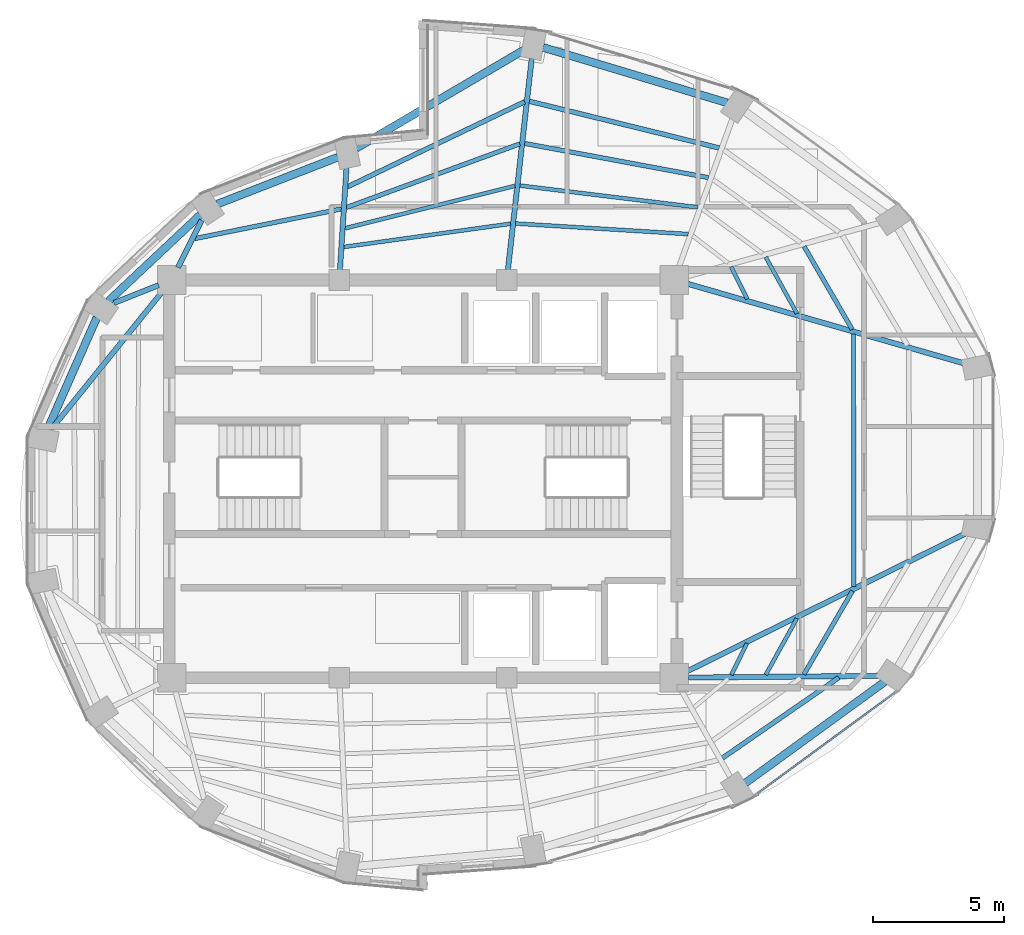
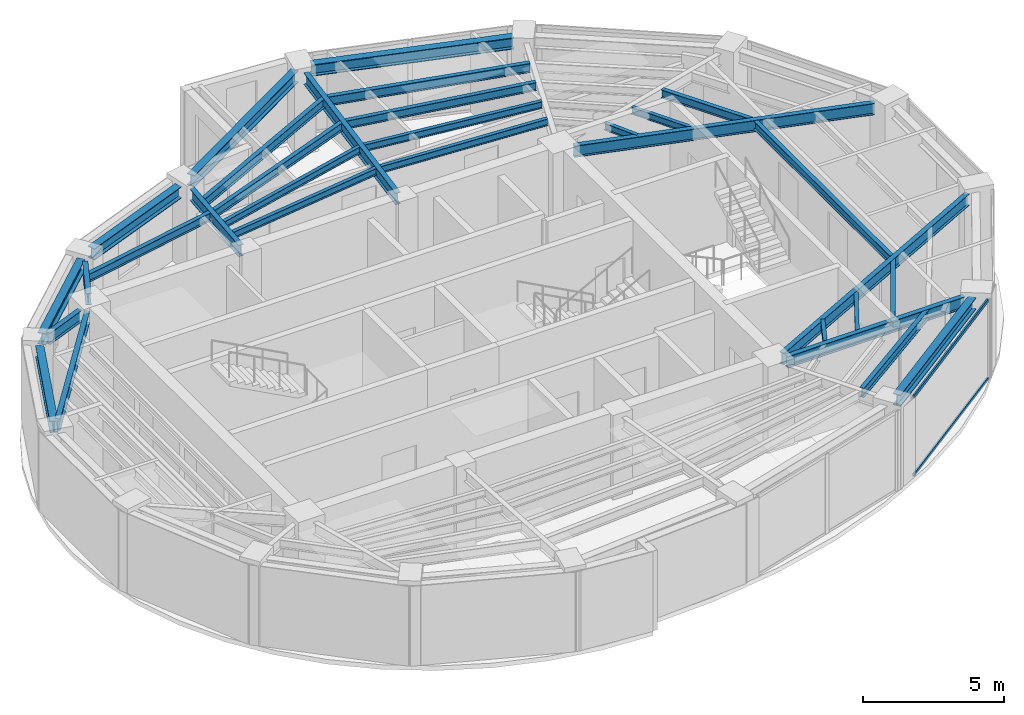
# One storey, part 3 of 13: 31 beams, 2 members, 1 element without a shape of its own.
"""IFC4 building model written with IfcOpenShell, lengths in metres."""

from ifc_helpers import new_model, si_unit, direction, frame, origin, origin_2d, place, context, subcontext, project, spatial, hollow_rectangle, i_section, extrude, material, layer, layer_set, material_profile, profile_set, type_object, element, aggregate, save


model = new_model("IFC4")

# Units and contexts
model_context = context("Model", 3, precision=1e-05, world=origin(), true_north=direction((0.0, 1.0)))
body_context = subcontext(model_context, "Body", "Model", "MODEL_VIEW")
ifc_project = project(units=[si_unit("LENGTHUNIT", "METRE"), si_unit("AREAUNIT", "SQUARE_METRE"), si_unit("VOLUMEUNIT", "CUBIC_METRE"), si_unit("PLANEANGLEUNIT", "RADIAN"), si_unit("MASSUNIT", "GRAM", prefix="KILO")], contexts=[model_context])

# Site, building, storey
site_placement = place(None, origin())
site = spatial("IfcSite", under=ifc_project, at=site_placement, CompositionType="ELEMENT")
building_placement = place(site_placement, origin())
building = spatial("IfcBuilding", under=site, at=building_placement, Name="Lazwardi Medical Tower", CompositionType="ELEMENT")
storey_placement = place(building_placement, frame((0.0, 0.0, 276.912109375)))
storey = spatial("IfcBuildingStorey", under=building, at=storey_placement, Name="L72", CompositionType="ELEMENT", Elevation=276.912109375)

# Beams
ifc_material_1 = material(Name="Steel S355", Category="steel")
ifc_material_profile_1 = material_profile(ifc_material_1, i_section(OverallWidth=0.300048828125, OverallDepth=0.5, WebThickness=0.014404296875, FlangeThickness=0.028076171875, at=origin_2d()), Name="HEB 500")
ifc_profile_set_1 = profile_set([ifc_material_profile_1], Name="Steel S355")
beam_type_1 = type_object("IfcBeamType", Name="BM-RB-Z4", PredefinedType="BEAM", material=ifc_profile_set_1)
beam_1_placement = place(storey_placement, frame((48.31591796875, 16.375244140625, 3.197998046875), z_axis=(0.808889916254, 0.587960120571, 0.0), x_axis=(-0.587960120571, 0.808889916254, 0.0)))
element("IfcBeam", 1, at=beam_1_placement, inside=storey, type_object=beam_type_1, Name="Ring beam RB-05 B02 L72", PredefinedType="BEAM", context=body_context, shape_type="SweptSolid", body=[
    extrude(i_section(OverallWidth=0.300048828125, OverallDepth=0.5, WebThickness=0.014404296875, FlangeThickness=0.028076171875, at=origin_2d()), origin(), (0.0, 0.0, 1.0), 6.587158203125),
])
beam_2_placement = place(storey_placement, frame((47.626953125, 42.366455078125, 3.197998046875), z_axis=(-0.957544311906, 0.288286126506, 0.0), x_axis=(-0.288286126506, -0.957544311906, 0.0)))
element("IfcBeam", 2, at=beam_2_placement, inside=storey, type_object=beam_type_1, Name="Ring beam RB-05 B07 L72", PredefinedType="BEAM", context=body_context, shape_type="SweptSolid", body=[
    extrude(i_section(OverallWidth=0.300048828125, OverallDepth=0.5, WebThickness=0.014404296875, FlangeThickness=0.028076171875, at=origin_2d()), origin(), (0.0, 0.0, 1.0), 7.3515625),
])
beam_3_placement = place(storey_placement, frame((39.877685546875, 44.40087890625, 3.197998046875), z_axis=(-0.862560933033, -0.505953196259, 0.0), x_axis=(0.505953196259, -0.862560933033, 0.0)))
element("IfcBeam", 3, at=beam_3_placement, inside=storey, type_object=beam_type_1, Name="Ring beam RB-05 B08 L72", PredefinedType="BEAM", context=body_context, shape_type="SweptSolid", body=[
    extrude(i_section(OverallWidth=0.300048828125, OverallDepth=0.5, WebThickness=0.014404296875, FlangeThickness=0.028076171875, at=origin_2d()), origin(), (0.0, 0.0, 1.0), 7.452880859375),
])
beam_4_placement = place(storey_placement, frame((32.749267578125, 40.29150390625, 3.197998046875), z_axis=(-0.931959260109, -0.362563011761, 0.0), x_axis=(0.362563011761, -0.931959260109, 0.0)))
element("IfcBeam", 4, at=beam_4_placement, inside=storey, type_object=beam_type_1, Name="Ring beam RB-05 B09 L72", PredefinedType="BEAM", context=body_context, shape_type="SweptSolid", body=[
    extrude(i_section(OverallWidth=0.300048828125, OverallDepth=0.5, WebThickness=0.014404296875, FlangeThickness=0.028076171875, at=origin_2d()), origin(), (0.0, 0.0, 1.0), 4.944580078125),
])
beam_5_placement = place(storey_placement, frame((27.493408203125, 38.09033203125, 3.197998046875), z_axis=(-0.728935349177, -0.684582541934, 0.0), x_axis=(0.684582541934, -0.728935349177, 0.0)))
element("IfcBeam", 5, at=beam_5_placement, inside=storey, type_object=beam_type_1, Name="Ring beam RB-05 B10 L72", PredefinedType="BEAM", context=body_context, shape_type="SweptSolid", body=[
    extrude(i_section(OverallWidth=0.300048828125, OverallDepth=0.5, WebThickness=0.014404296875, FlangeThickness=0.028076171875, at=origin_2d()), origin(), (0.0, 0.0, 1.0), 4.822021484375),
])
beam_6_placement = place(storey_placement, frame((23.536865234375, 34.16552734375, 3.197998046875), z_axis=(-0.403522451548, -0.914969743268, 0.0), x_axis=(0.914969743268, -0.403522451548, 0.0)))
element("IfcBeam", 6, at=beam_6_placement, inside=storey, type_object=beam_type_1, Name="Ring beam RB-05 B11 L72", PredefinedType="BEAM", context=body_context, shape_type="SweptSolid", body=[
    extrude(i_section(OverallWidth=0.300048828125, OverallDepth=0.5, WebThickness=0.014404296875, FlangeThickness=0.028076171875, at=origin_2d()), origin(), (0.0, 0.0, 1.0), 4.6962890625),
])
ifc_material_profile_2 = material_profile(ifc_material_1, i_section(OverallWidth=0.199951171875, OverallDepth=0.5, WebThickness=0.01025390625, FlangeThickness=0.01611328125, at=origin_2d()), Name="IPE 500")
ifc_profile_set_2 = profile_set([ifc_material_profile_2], Name="Steel S355")
beam_type_2 = type_object("IfcBeamType", Name="BM-RG-W3", PredefinedType="BEAM", material=ifc_profile_set_2)
beam_7_placement = place(storey_placement, frame((53.4248046875, 20.472412109375, 3.197998046875), z_axis=(-0.999957282107, -0.009243049327, 0.0), x_axis=(0.009243049327, -0.999957282107, 0.0)))
element("IfcBeam", 7, at=beam_7_placement, inside=storey, type_object=beam_type_2, Name="Radial girder RG-04 R03 L72", PredefinedType="BEAM", context=body_context, shape_type="SweptSolid", body=[
    extrude(i_section(OverallWidth=0.199951171875, OverallDepth=0.5, WebThickness=0.01025390625, FlangeThickness=0.01611328125, at=origin_2d()), origin(), (0.0, 0.0, 1.0), 7.2900390625),
])
beam_8_placement = place(storey_placement, frame((56.70556640625, 25.899658203125, 3.197998046875), z_axis=(-0.896137723356, -0.443776048, 0.0), x_axis=(0.443776048, -0.896137723356, 0.0)))
element("IfcBeam", 8, at=beam_8_placement, inside=storey, type_object=beam_type_2, Name="Radial girder RG-04 R04 L72", PredefinedType="BEAM", context=body_context, shape_type="SweptSolid", body=[
    extrude(i_section(OverallWidth=0.199951171875, OverallDepth=0.5, WebThickness=0.01025390625, FlangeThickness=0.01611328125, at=origin_2d()), origin(), (0.0, 0.0, 1.0), 11.85791015625),
])
beam_9_placement = place(storey_placement, frame((56.6708984375, 32.410888671875, 3.197998046875), z_axis=(-0.960926292206, 0.276804373065, 0.0), x_axis=(-0.276804373065, -0.960926292206, 0.0)))
element("IfcBeam", 9, at=beam_9_placement, inside=storey, type_object=beam_type_2, Name="Radial girder RG-04 R05 L72", PredefinedType="BEAM", context=body_context, shape_type="SweptSolid", body=[
    extrude(i_section(OverallWidth=0.199951171875, OverallDepth=0.5, WebThickness=0.01025390625, FlangeThickness=0.01611328125, at=origin_2d()), origin(), (0.0, 0.0, 1.0), 10.986083984375),
])
beam_10_placement = place(storey_placement, frame((40.154052734375, 44.066650390625, 3.197998046875), z_axis=(-0.11196962105, -0.993711630183, 0.0), x_axis=(0.993711630183, -0.11196962105, 0.0)))
element("IfcBeam", 10, at=beam_10_placement, inside=storey, type_object=beam_type_2, Name="Radial girder RG-04 R08 L72", PredefinedType="BEAM", context=body_context, shape_type="SweptSolid", body=[
    extrude(i_section(OverallWidth=0.199951171875, OverallDepth=0.5, WebThickness=0.01025390625, FlangeThickness=0.01611328125, at=origin_2d()), origin(), (0.0, 0.0, 1.0), 8.13525390625),
])
beam_11_placement = place(storey_placement, frame((33.078125, 39.89892578125, 3.197998046875), z_axis=(-0.064536216654, -0.99791536552, 0.0), x_axis=(0.99791536552, -0.064536216654, 0.0)))
element("IfcBeam", 11, at=beam_11_placement, inside=storey, type_object=beam_type_2, Name="Radial girder RG-04 R09 L72", PredefinedType="BEAM", context=body_context, shape_type="SweptSolid", body=[
    extrude(i_section(OverallWidth=0.199951171875, OverallDepth=0.5, WebThickness=0.01025390625, FlangeThickness=0.01611328125, at=origin_2d()), origin(), (0.0, 0.0, 1.0), 3.9228515625),
])
beam_12_placement = place(storey_placement, frame((27.53857421875, 37.87890625, 3.197998046875), z_axis=(-0.446922417137, -0.894572720946, 0.0), x_axis=(0.894572720946, -0.446922417137, 0.0)))
element("IfcBeam", 12, at=beam_12_placement, inside=storey, type_object=beam_type_2, Name="Radial girder RG-04 R10 L72", PredefinedType="BEAM", context=body_context, shape_type="SweptSolid", body=[
    extrude(i_section(OverallWidth=0.199951171875, OverallDepth=0.5, WebThickness=0.01025390625, FlangeThickness=0.01611328125, at=origin_2d()), origin(), (0.0, 0.0, 1.0), 2.012451171875),
])
beam_13_placement = place(storey_placement, frame((24.191162109375, 34.72021484375, 3.197998046875), z_axis=(0.929014807026, 0.370042549347, 0.0), x_axis=(-0.370042549347, 0.929014807026, 0.0)))
element("IfcBeam", 13, at=beam_13_placement, inside=storey, type_object=beam_type_2, Name="Radial girder RG-04 R11 L72", PredefinedType="BEAM", context=body_context, shape_type="SweptSolid", body=[
    extrude(i_section(OverallWidth=0.199951171875, OverallDepth=0.5, WebThickness=0.01025390625, FlangeThickness=0.01611328125, at=origin_2d()), origin(), (0.0, 0.0, 1.0), 1.8427734375),
])
beam_14_placement = place(storey_placement, frame((21.820556640625, 29.927978515625, 3.197998046875), z_axis=(0.62820165026, 0.778050568158, 0.0), x_axis=(-0.778050568158, 0.62820165026, 0.0)))
element("IfcBeam", 14, at=beam_14_placement, inside=storey, type_object=beam_type_2, Name="Radial girder RG-04 R12 L72", PredefinedType="BEAM", context=body_context, shape_type="SweptSolid", body=[
    extrude(i_section(OverallWidth=0.199951171875, OverallDepth=0.5, WebThickness=0.01025390625, FlangeThickness=0.01611328125, at=origin_2d()), origin(), (0.0, 0.0, 1.0), 6.7548828125),
])
ifc_material_profile_3 = material_profile(ifc_material_1, i_section(OverallWidth=0.179931640625, OverallDepth=0.39990234375, WebThickness=0.008544921875, FlangeThickness=0.013427734375, at=origin_2d()), Name="IPE 400")
ifc_profile_set_3 = profile_set([ifc_material_profile_3], Name="Steel S355")
beam_type_3 = type_object("IfcBeamType", Name="BM-SJ-01", PredefinedType="JOIST", material=ifc_profile_set_3)
beam_15_placement = place(storey_placement, frame((47.440673828125, 17.330322265625, 3.247802734375), z_axis=(0.822596712765, 0.568625226443, 0.0), x_axis=(-0.568625226443, 0.822596712765, 0.0)))
element("IfcBeam", 15, at=beam_15_placement, inside=storey, type_object=beam_type_3, Name="Secondary joist SJ-01 R1 B02 L72", PredefinedType="JOIST", context=body_context, shape_type="SweptSolid", body=[
    extrude(i_section(OverallWidth=0.179931640625, OverallDepth=0.39990234375, WebThickness=0.008544921875, FlangeThickness=0.013427734375, at=origin_2d()), origin(), (0.0, 0.0, 1.0), 5.4072265625),
])
beam_16_placement = place(storey_placement, frame((47.319091796875, 40.64404296875, 3.247802734375), z_axis=(-0.971096035988, 0.23868910509, 0.0), x_axis=(-0.23868910509, -0.971096035988, 0.0)))
element("IfcBeam", 16, at=beam_16_placement, inside=storey, type_object=beam_type_3, Name="Secondary joist SJ-01 R1 B07 L72", PredefinedType="JOIST", context=body_context, shape_type="SweptSolid", body=[
    extrude(i_section(OverallWidth=0.179931640625, OverallDepth=0.39990234375, WebThickness=0.008544921875, FlangeThickness=0.013427734375, at=origin_2d()), origin(), (0.0, 0.0, 1.0), 7.470703125),
])
beam_17_placement = place(storey_placement, frame((39.88623046875, 42.40869140625, 3.247802734375), z_axis=(-0.901499730142, -0.432779662823, 0.0), x_axis=(0.432779662823, -0.901499730142, 0.0)))
element("IfcBeam", 17, at=beam_17_placement, inside=storey, type_object=beam_type_3, Name="Secondary joist SJ-01 R1 B08 L72", PredefinedType="JOIST", context=body_context, shape_type="SweptSolid", body=[
    extrude(i_section(OverallWidth=0.179931640625, OverallDepth=0.39990234375, WebThickness=0.008544921875, FlangeThickness=0.013427734375, at=origin_2d()), origin(), (0.0, 0.0, 1.0), 7.512939453125),
])
ifc_material_profile_4 = material_profile(ifc_material_1, i_section(OverallWidth=0.169921875, OverallDepth=0.360107421875, WebThickness=0.008056640625, FlangeThickness=0.0126953125, at=origin_2d()), Name="IPE 360")
ifc_profile_set_4 = profile_set([ifc_material_profile_4], Name="Steel S355")
beam_type_4 = type_object("IfcBeamType", Name="BM-SJ-02", PredefinedType="JOIST", material=ifc_profile_set_4)
beam_18_placement = place(storey_placement, frame((50.556640625, 20.527587890625, 3.267822265625), z_axis=(0.502428077017, 0.864619007092, 0.0), x_axis=(-0.864619007092, 0.502428077017, 0.0)))
element("IfcBeam", 18, at=beam_18_placement, inside=storey, type_object=beam_type_4, Name="Secondary joist SJ-02 R2 B03 L72", PredefinedType="JOIST", context=body_context, shape_type="SweptSolid", body=[
    extrude(i_section(OverallWidth=0.169921875, OverallDepth=0.360107421875, WebThickness=0.008056640625, FlangeThickness=0.0126953125, at=origin_2d()), origin(), (0.0, 0.0, 1.0), 3.683837890625),
])
beam_19_placement = place(storey_placement, frame((52.455078125, 23.889892578125, 3.267822265625), z_axis=(-0.000708932372, 0.999999748707, 0.0), x_axis=(-0.999999748707, -0.000708932372, 0.0)))
element("IfcBeam", 19, at=beam_19_placement, inside=storey, type_object=beam_type_4, Name="Secondary joist SJ-02 R2 B04 L72", PredefinedType="JOIST", context=body_context, shape_type="SweptSolid", body=[
    extrude(i_section(OverallWidth=0.169921875, OverallDepth=0.360107421875, WebThickness=0.008056640625, FlangeThickness=0.0126953125, at=origin_2d()), origin(), (0.0, 0.0, 1.0), 9.642578125),
])
beam_20_placement = place(storey_placement, frame((52.400390625, 33.70947265625, 3.267822265625), z_axis=(-0.501626451559, 0.865084332939, 0.0), x_axis=(-0.865084332939, -0.501626451559, 0.0)))
element("IfcBeam", 20, at=beam_20_placement, inside=storey, type_object=beam_type_4, Name="Secondary joist SJ-02 R2 B05 L72", PredefinedType="JOIST", context=body_context, shape_type="SweptSolid", body=[
    extrude(i_section(OverallWidth=0.169921875, OverallDepth=0.360107421875, WebThickness=0.008056640625, FlangeThickness=0.0126953125, at=origin_2d()), origin(), (0.0, 0.0, 1.0), 3.668212890625),
])
beam_21_placement = place(storey_placement, frame((46.910400390625, 39.50927734375, 3.267822265625), z_axis=(-0.98315560802, 0.182770485635, 0.0), x_axis=(-0.182770485635, -0.98315560802, 0.0)))
element("IfcBeam", 21, at=beam_21_placement, inside=storey, type_object=beam_type_4, Name="Secondary joist SJ-02 R2 B07 L72", PredefinedType="JOIST", context=body_context, shape_type="SweptSolid", body=[
    extrude(i_section(OverallWidth=0.169921875, OverallDepth=0.360107421875, WebThickness=0.008056640625, FlangeThickness=0.0126953125, at=origin_2d()), origin(), (0.0, 0.0, 1.0), 7.147705078125),
])
beam_22_placement = place(storey_placement, frame((39.700439453125, 40.80029296875, 3.267822265625), z_axis=(-0.938784720842, -0.34450435108, 0.0), x_axis=(0.34450435108, -0.938784720842, 0.0)))
element("IfcBeam", 22, at=beam_22_placement, inside=storey, type_object=beam_type_4, Name="Secondary joist SJ-02 R2 B08 L72", PredefinedType="JOIST", context=body_context, shape_type="SweptSolid", body=[
    extrude(i_section(OverallWidth=0.169921875, OverallDepth=0.360107421875, WebThickness=0.008056640625, FlangeThickness=0.0126953125, at=origin_2d()), origin(), (0.0, 0.0, 1.0), 7.06689453125),
])
beam_23_placement = place(storey_placement, frame((32.8837890625, 38.314208984375, 3.267822265625), z_axis=(-0.980097246244, -0.198517978793, 0.0), x_axis=(0.198517978793, -0.980097246244, 0.0)))
element("IfcBeam", 23, at=beam_23_placement, inside=storey, type_object=beam_type_4, Name="Secondary joist SJ-02 R2 B09 L72", PredefinedType="JOIST", context=body_context, shape_type="SweptSolid", body=[
    extrude(i_section(OverallWidth=0.169921875, OverallDepth=0.360107421875, WebThickness=0.008056640625, FlangeThickness=0.0126953125, at=origin_2d()), origin(), (0.0, 0.0, 1.0), 5.72607421875),
])
ifc_material_profile_5 = material_profile(ifc_material_1, i_section(OverallWidth=0.14990234375, OverallDepth=0.300048828125, WebThickness=0.007080078125, FlangeThickness=0.0107421875, at=origin_2d()), Name="IPE 300")
ifc_profile_set_5 = profile_set([ifc_material_profile_5], Name="Steel S355")
beam_type_5 = type_object("IfcBeamType", Name="BM-SJ-03", PredefinedType="JOIST", material=ifc_profile_set_5)
beam_24_placement = place(storey_placement, frame((49.096923828125, 20.51513671875, 3.2978515625), z_axis=(0.484356732643, 0.874870593598, 0.0), x_axis=(-0.874870593598, 0.484356732643, 0.0)))
element("IfcBeam", 24, at=beam_24_placement, inside=storey, type_object=beam_type_5, Name="Secondary joist SJ-03 R3 B03 L72", PredefinedType="JOIST", context=body_context, shape_type="SweptSolid", body=[
    extrude(i_section(OverallWidth=0.14990234375, OverallDepth=0.300048828125, WebThickness=0.007080078125, FlangeThickness=0.0107421875, at=origin_2d()), origin(), (0.0, 0.0, 1.0), 2.45068359375),
])
beam_25_placement = place(storey_placement, frame((50.290771484375, 34.318603515625, 3.2978515625), z_axis=(-0.485634526525, 0.874161945321, 0.0), x_axis=(-0.874161945321, -0.485634526525, 0.0)))
element("IfcBeam", 25, at=beam_25_placement, inside=storey, type_object=beam_type_5, Name="Secondary joist SJ-03 R3 B05 L72", PredefinedType="JOIST", context=body_context, shape_type="SweptSolid", body=[
    extrude(i_section(OverallWidth=0.14990234375, OverallDepth=0.300048828125, WebThickness=0.007080078125, FlangeThickness=0.0107421875, at=origin_2d()), origin(), (0.0, 0.0, 1.0), 2.46630859375),
])
beam_26_placement = place(storey_placement, frame((46.502197265625, 38.373779296875, 3.2978515625), z_axis=(-0.992619429406, 0.121271053287, 0.0), x_axis=(-0.121271053287, -0.992619429406, 0.0)))
element("IfcBeam", 26, at=beam_26_placement, inside=storey, type_object=beam_type_5, Name="Secondary joist SJ-03 R3 B07 L72", PredefinedType="JOIST", context=body_context, shape_type="SweptSolid", body=[
    extrude(i_section(OverallWidth=0.14990234375, OverallDepth=0.300048828125, WebThickness=0.007080078125, FlangeThickness=0.0107421875, at=origin_2d()), origin(), (0.0, 0.0, 1.0), 6.850830078125),
])
beam_27_placement = place(storey_placement, frame((39.515380859375, 39.193359375, 3.2978515625), z_axis=(-0.970279606817, -0.241986538045, 0.0), x_axis=(0.241986538045, -0.970279606817, 0.0)))
element("IfcBeam", 27, at=beam_27_placement, inside=storey, type_object=beam_type_5, Name="Secondary joist SJ-03 R3 B08 L72", PredefinedType="JOIST", context=body_context, shape_type="SweptSolid", body=[
    extrude(i_section(OverallWidth=0.14990234375, OverallDepth=0.300048828125, WebThickness=0.007080078125, FlangeThickness=0.0107421875, at=origin_2d()), origin(), (0.0, 0.0, 1.0), 6.696044921875),
])
beam_28_placement = place(storey_placement, frame((47.78076171875, 20.5048828125, 3.2978515625), z_axis=(0.442264453687, 0.896884693261, 0.0), x_axis=(-0.896884693261, 0.442264453687, 0.0)))
element("IfcBeam", 28, at=beam_28_placement, inside=storey, type_object=beam_type_5, Name="Secondary joist SJ-03 R4 B03 L72", PredefinedType="JOIST", context=body_context, shape_type="SweptSolid", body=[
    extrude(i_section(OverallWidth=0.14990234375, OverallDepth=0.300048828125, WebThickness=0.007080078125, FlangeThickness=0.0107421875, at=origin_2d()), origin(), (0.0, 0.0, 1.0), 1.343505859375),
])
beam_29_placement = place(storey_placement, frame((48.393798828125, 34.867919921875, 3.2978515625), z_axis=(-0.449607078784, 0.893226440891, 0.0), x_axis=(-0.893226440891, -0.449607078784, 0.0)))
element("IfcBeam", 29, at=beam_29_placement, inside=storey, type_object=beam_type_5, Name="Secondary joist SJ-03 R4 B05 L72", PredefinedType="JOIST", context=body_context, shape_type="SweptSolid", body=[
    extrude(i_section(OverallWidth=0.14990234375, OverallDepth=0.300048828125, WebThickness=0.007080078125, FlangeThickness=0.0107421875, at=origin_2d()), origin(), (0.0, 0.0, 1.0), 1.38623046875),
])
beam_30_placement = place(storey_placement, frame((46.135009765625, 37.3515625, 3.2978515625), z_axis=(-0.998131677286, 0.061099548269, 0.0), x_axis=(-0.061099548269, -0.998131677286, 0.0)))
element("IfcBeam", 30, at=beam_30_placement, inside=storey, type_object=beam_type_5, Name="Secondary joist SJ-03 R4 B07 L72", PredefinedType="JOIST", context=body_context, shape_type="SweptSolid", body=[
    extrude(i_section(OverallWidth=0.14990234375, OverallDepth=0.300048828125, WebThickness=0.007080078125, FlangeThickness=0.0107421875, at=origin_2d()), origin(), (0.0, 0.0, 1.0), 6.609130859375),
])
beam_31_placement = place(storey_placement, frame((39.349365234375, 37.748046875, 3.2978515625), z_axis=(-0.990406947737, -0.138181322454, 0.0), x_axis=(0.138181322454, -0.990406947737, 0.0)))
element("IfcBeam", 31, at=beam_31_placement, inside=storey, type_object=beam_type_5, Name="Secondary joist SJ-03 R4 B08 L72", PredefinedType="JOIST", context=body_context, shape_type="SweptSolid", body=[
    extrude(i_section(OverallWidth=0.14990234375, OverallDepth=0.300048828125, WebThickness=0.007080078125, FlangeThickness=0.0107421875, at=origin_2d()), origin(), (0.0, 0.0, 1.0), 6.4365234375),
])

# Curtain wall, members
ifc_material_2 = material(Name="Anodised bronze aluminium and solar control glazing", Category="aluminium")
ifc_layer = layer(ifc_material_2, 0.18994140625)
ifc_layer_set = layer_set([ifc_layer], Name="Anodised bronze aluminium and solar control glazing")
curtain_wall_type = type_object("IfcCurtainWallType", Name="CW-SYS-04", PredefinedType="NOTDEFINED", material=ifc_layer_set)
curtain_wall_placement = place(storey_placement, origin())
curtain_wall = element("IfcCurtainWall", 32, at=curtain_wall_placement, inside=storey, type_object=curtain_wall_type, Name="L72 Unitised bronze curtain wall CW-04", PredefinedType="NOTDEFINED")
ifc_material_3 = material(Name="Anodised bronze aluminium", Category="aluminium")
ifc_material_profile_6 = material_profile(ifc_material_3, hollow_rectangle(XDim=0.06494140625, YDim=0.139892578125, WallThickness=0.00341796875, at=origin_2d()), Name="ALU-TRANSOM 140x65x3.5")
ifc_profile_set_6 = profile_set([ifc_material_profile_6], Name="Anodised bronze aluminium")
member_type = type_object("IfcMemberType", Name="CW-TRN-03", PredefinedType="USERDEFINED", material=ifc_profile_set_6)
member_1_placement = place(storey_placement, frame((48.781494140625, 15.984375, 0.032470703125), z_axis=(0.80648973359, 0.591248094808, 0.0), x_axis=(-0.591248094808, 0.80648973359, 0.0)))
member_1 = element("IfcMember", 33, at=member_1_placement, type_object=member_type, Name="CW-04 transom 1.1", ObjectType="TRANSOM", PredefinedType="USERDEFINED", context=body_context, shape_type="SweptSolid", body=[
    extrude(hollow_rectangle(XDim=0.06494140625, YDim=0.139892578125, WallThickness=0.00341796875, at=origin_2d()), origin(), (0.0, 0.0, 1.0), 6.502685546875),
])
member_2_placement = place(storey_placement, frame((48.781494140625, 15.984375, 3.415283203125), z_axis=(0.80648973359, 0.591248094808, 0.0), x_axis=(-0.591248094808, 0.80648973359, 0.0)))
member_2 = element("IfcMember", 34, at=member_2_placement, type_object=member_type, Name="CW-04 transom 1.2", ObjectType="TRANSOM", PredefinedType="USERDEFINED", context=body_context, shape_type="SweptSolid", body=[
    extrude(hollow_rectangle(XDim=0.06494140625, YDim=0.139892578125, WallThickness=0.00341796875, at=origin_2d()), origin(), (0.0, 0.0, 1.0), 6.502685546875),
])
aggregate(curtain_wall, [member_1, member_2])

save(model, "model.ifc")
